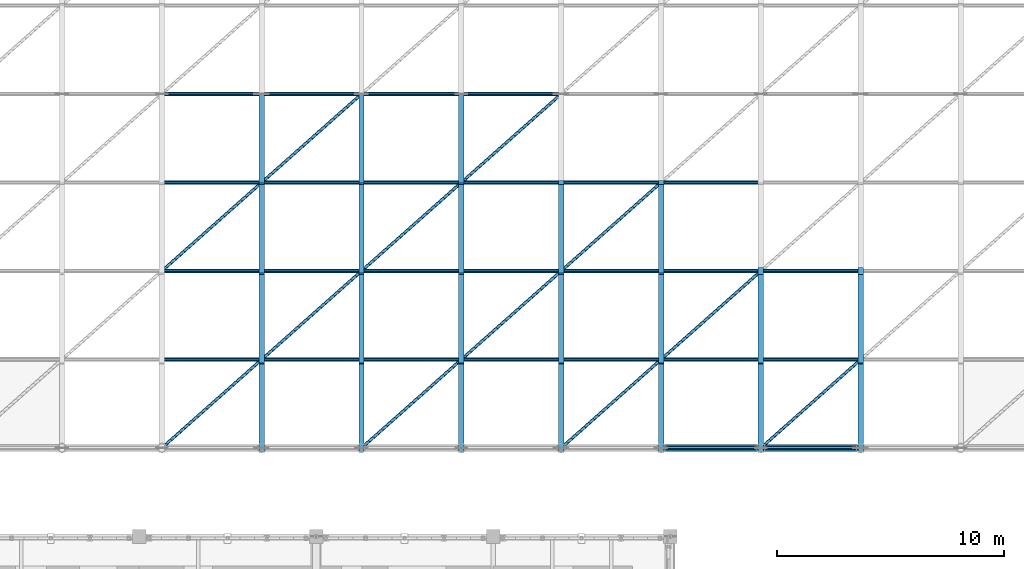
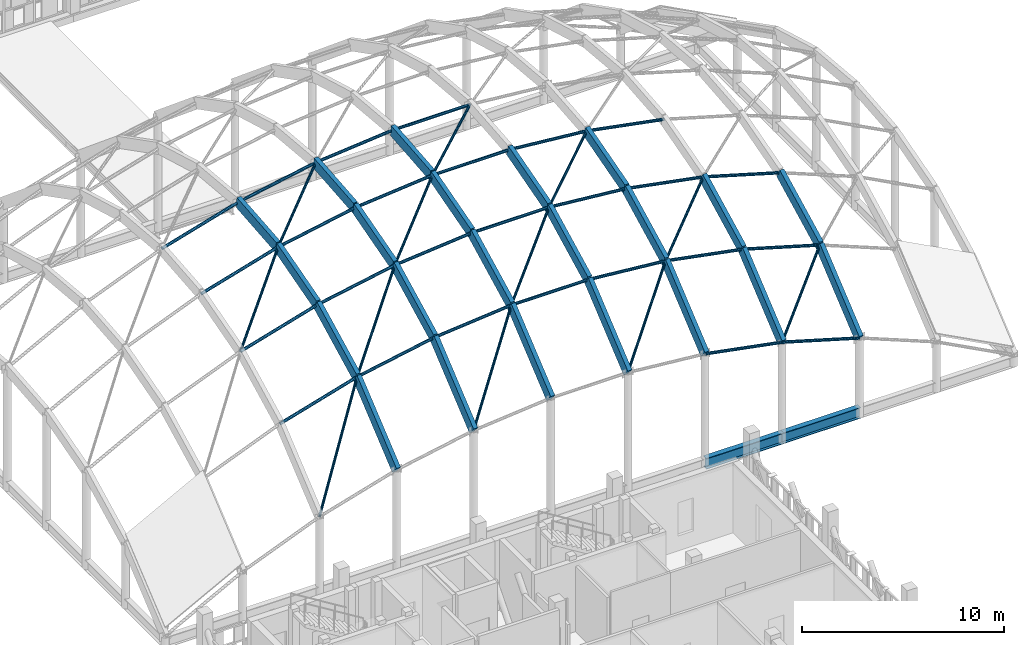
# One storey, part 45 of 119: 60 members, 2 beams.
"""IFC4 building model written with IfcOpenShell, lengths in metres."""

from ifc_helpers import new_model, si_unit, direction, frame, origin, origin_2d, place, context, subcontext, project, spatial, rectangle, hollow_circle, i_section, extrude, material, material_profile, profile_set, type_object, element, save


model = new_model("IFC4")

# Units and contexts
model_context = context("Model", 3, precision=1e-05, world=origin(), true_north=direction((0.0, 1.0)))
body_context = subcontext(model_context, "Body", "Model", "MODEL_VIEW")
ifc_project = project(units=[si_unit("LENGTHUNIT", "METRE"), si_unit("AREAUNIT", "SQUARE_METRE"), si_unit("VOLUMEUNIT", "CUBIC_METRE"), si_unit("PLANEANGLEUNIT", "RADIAN"), si_unit("MASSUNIT", "GRAM", prefix="KILO")], contexts=[model_context])

# Site, building, storey
site_placement = place(None, origin())
site = spatial("IfcSite", under=ifc_project, at=site_placement, CompositionType="ELEMENT")
building_placement = place(site_placement, origin())
building = spatial("IfcBuilding", under=site, at=building_placement, Name="Celorna Specialist Clinic", CompositionType="ELEMENT")
storey_placement = place(building_placement, frame((0.0, 0.0, 9.60009765625)))
storey = spatial("IfcBuildingStorey", under=building, at=storey_placement, Name="L02", CompositionType="ELEMENT", Elevation=9.60009765625)

# Beams
ifc_material_1 = material(Name="Steel S355", Category="steel")
ifc_material_profile_1 = material_profile(ifc_material_1, i_section(OverallWidth=0.300048828125, OverallDepth=0.64990234375, WebThickness=0.01611328125, FlangeThickness=0.031005859375, at=origin_2d()), Name="HE 650 B")
ifc_profile_set_1 = profile_set([ifc_material_profile_1], Name="Steel S355")
beam_type = type_object("IfcBeamType", Name="BM-03", PredefinedType="BEAM", material=ifc_profile_set_1)
beam_1_placement = place(storey_placement, frame((85.39990234375, 46.800048828125, 0.27490234375), z_axis=(1.0, 0.0, 0.0), x_axis=(0.0, 1.0, 0.0)))
element("IfcBeam", 1, at=beam_1_placement, inside=storey, type_object=beam_type, Name="GSH-V1 gridshell perimeter edge ring beam", PredefinedType="BEAM", context=body_context, shape_type="SweptSolid", body=[
    extrude(i_section(OverallWidth=0.300048828125, OverallDepth=0.64990234375, WebThickness=0.01611328125, FlangeThickness=0.031005859375, at=origin_2d()), origin(), (0.0, 0.0, 1.0), 4.400146484375),
])
beam_2_placement = place(storey_placement, frame((89.800048828125, 46.800048828125, 0.27490234375), z_axis=(1.0, 0.0, 0.0), x_axis=(0.0, 1.0, 0.0)))
element("IfcBeam", 2, at=beam_2_placement, inside=storey, type_object=beam_type, Name="GSH-V1 gridshell perimeter edge ring beam", PredefinedType="BEAM", context=body_context, shape_type="SweptSolid", body=[
    extrude(i_section(OverallWidth=0.300048828125, OverallDepth=0.64990234375, WebThickness=0.01611328125, FlangeThickness=0.031005859375, at=origin_2d()), origin(), (0.0, 0.0, 1.0), 4.39990234375),
])

# Members
ifc_material_2 = material(Name="Glulam GL28h", Category="wood")
ifc_material_profile_2 = material_profile(ifc_material_2, rectangle(XDim=0.239990234375, YDim=0.639892578125, at=origin_2d()), Name="GL28h 240x640")
ifc_profile_set_2 = profile_set([ifc_material_profile_2], Name="Glulam GL28h")
member_type_1 = type_object("IfcMemberType", Name="MB-01", PredefinedType="RAFTER", material=ifc_profile_set_2)
member_1_placement = place(storey_placement, frame((67.800048828125, 46.800048828125, 5.991943359375), z_axis=(0.0, 0.768923128228, 0.639341241338), x_axis=(-1.0, 0.0, 0.0)))
element("IfcMember", 3, at=member_1_placement, inside=storey, type_object=member_type_1, Name="GSH-V1 glulam gridshell arch rib WP-128-WP-170", PredefinedType="RAFTER", context=body_context, shape_type="SweptSolid", body=[
    extrude(rectangle(XDim=0.239990234375, YDim=0.639892578125, at=origin_2d()), origin(), (0.0, 0.0, 1.0), 5.072021484375),
])
member_2_placement = place(storey_placement, frame((67.800048828125, 50.699951171875, 9.234619140625), z_axis=(0.0, 0.890050532634, 0.455861875306), x_axis=(-1.0, 0.0, 0.0)))
element("IfcMember", 4, at=member_2_placement, inside=storey, type_object=member_type_1, Name="GSH-V1 glulam gridshell arch rib WP-170-WP-171", PredefinedType="RAFTER", context=body_context, shape_type="SweptSolid", body=[
    extrude(rectangle(XDim=0.239990234375, YDim=0.639892578125, at=origin_2d()), origin(), (0.0, 0.0, 1.0), 4.3818359375),
])
member_3_placement = place(storey_placement, frame((67.800048828125, 54.60009765625, 11.232177734375), z_axis=(0.0, 0.961920605612, 0.273329011448), x_axis=(-1.0, 0.0, 0.0)))
element("IfcMember", 5, at=member_3_placement, inside=storey, type_object=member_type_1, Name="GSH-V1 glulam gridshell arch rib WP-171-WP-172", PredefinedType="RAFTER", context=body_context, shape_type="SweptSolid", body=[
    extrude(rectangle(XDim=0.239990234375, YDim=0.639892578125, at=origin_2d()), origin(), (0.0, 0.0, 1.0), 4.05419921875),
])
member_4_placement = place(storey_placement, frame((67.800048828125, 58.5, 12.34033203125), z_axis=(0.0, 0.995843490594, 0.091080965304), x_axis=(-1.0, 0.0, 0.0)))
element("IfcMember", 6, at=member_4_placement, inside=storey, type_object=member_type_1, Name="GSH-V1 glulam gridshell arch rib WP-172-WP-173", PredefinedType="RAFTER", context=body_context, shape_type="SweptSolid", body=[
    extrude(rectangle(XDim=0.239990234375, YDim=0.639892578125, at=origin_2d()), origin(), (0.0, 0.0, 1.0), 3.916259765625),
])
member_5_placement = place(storey_placement, frame((72.199951171875, 46.800048828125, 6.830078125), z_axis=(0.0, 0.768923128228, 0.639341241338), x_axis=(-1.0, 0.0, 0.0)))
element("IfcMember", 7, at=member_5_placement, inside=storey, type_object=member_type_1, Name="GSH-V1 glulam gridshell arch rib WP-129-WP-177", PredefinedType="RAFTER", context=body_context, shape_type="SweptSolid", body=[
    extrude(rectangle(XDim=0.239990234375, YDim=0.639892578125, at=origin_2d()), origin(), (0.0, 0.0, 1.0), 5.072021484375),
])
member_6_placement = place(storey_placement, frame((72.199951171875, 50.699951171875, 10.07275390625), z_axis=(0.0, 0.890050532634, 0.455861875306), x_axis=(-1.0, 0.0, 0.0)))
element("IfcMember", 8, at=member_6_placement, inside=storey, type_object=member_type_1, Name="GSH-V1 glulam gridshell arch rib WP-177-WP-178", PredefinedType="RAFTER", context=body_context, shape_type="SweptSolid", body=[
    extrude(rectangle(XDim=0.239990234375, YDim=0.639892578125, at=origin_2d()), origin(), (0.0, 0.0, 1.0), 4.3818359375),
])
member_7_placement = place(storey_placement, frame((72.199951171875, 54.60009765625, 12.0703125), z_axis=(0.0, 0.961920605612, 0.273329011448), x_axis=(-1.0, 0.0, 0.0)))
element("IfcMember", 9, at=member_7_placement, inside=storey, type_object=member_type_1, Name="GSH-V1 glulam gridshell arch rib WP-178-WP-179", PredefinedType="RAFTER", context=body_context, shape_type="SweptSolid", body=[
    extrude(rectangle(XDim=0.239990234375, YDim=0.639892578125, at=origin_2d()), origin(), (0.0, 0.0, 1.0), 4.05419921875),
])
member_8_placement = place(storey_placement, frame((72.199951171875, 58.5, 13.178466796875), z_axis=(0.0, 0.995849143232, 0.091019140423), x_axis=(-1.0, 0.0, 0.0)))
element("IfcMember", 10, at=member_8_placement, inside=storey, type_object=member_type_1, Name="GSH-V1 glulam gridshell arch rib WP-179-WP-180", PredefinedType="RAFTER", context=body_context, shape_type="SweptSolid", body=[
    extrude(rectangle(XDim=0.239990234375, YDim=0.639892578125, at=origin_2d()), origin(), (0.0, 0.0, 1.0), 3.916259765625),
])
member_9_placement = place(storey_placement, frame((76.60009765625, 46.800048828125, 7.243408203125), z_axis=(0.0, 0.768923128228, 0.639341241338), x_axis=(-1.0, 0.0, 0.0)))
element("IfcMember", 11, at=member_9_placement, inside=storey, type_object=member_type_1, Name="GSH-V1 glulam gridshell arch rib WP-130-WP-184", PredefinedType="RAFTER", context=body_context, shape_type="SweptSolid", body=[
    extrude(rectangle(XDim=0.239990234375, YDim=0.639892578125, at=origin_2d()), origin(), (0.0, 0.0, 1.0), 5.072021484375),
])
member_10_placement = place(storey_placement, frame((76.60009765625, 50.699951171875, 10.486083984375), z_axis=(0.0, 0.890050532634, 0.455861875306), x_axis=(-1.0, 0.0, 0.0)))
element("IfcMember", 12, at=member_10_placement, inside=storey, type_object=member_type_1, Name="GSH-V1 glulam gridshell arch rib WP-184-WP-185", PredefinedType="RAFTER", context=body_context, shape_type="SweptSolid", body=[
    extrude(rectangle(XDim=0.239990234375, YDim=0.639892578125, at=origin_2d()), origin(), (0.0, 0.0, 1.0), 4.3818359375),
])
member_11_placement = place(storey_placement, frame((76.60009765625, 54.60009765625, 12.483642578125), z_axis=(0.0, 0.961920605612, 0.273329011448), x_axis=(-1.0, 0.0, 0.0)))
element("IfcMember", 13, at=member_11_placement, inside=storey, type_object=member_type_1, Name="GSH-V1 glulam gridshell arch rib WP-185-WP-186", PredefinedType="RAFTER", context=body_context, shape_type="SweptSolid", body=[
    extrude(rectangle(XDim=0.239990234375, YDim=0.639892578125, at=origin_2d()), origin(), (0.0, 0.0, 1.0), 4.05419921875),
])
member_12_placement = place(storey_placement, frame((76.60009765625, 58.5, 13.591796875), z_axis=(0.0, 0.995843490594, 0.091080965304), x_axis=(-1.0, 0.0, 0.0)))
element("IfcMember", 14, at=member_12_placement, inside=storey, type_object=member_type_1, Name="GSH-V1 glulam gridshell arch rib WP-186-WP-187", PredefinedType="RAFTER", context=body_context, shape_type="SweptSolid", body=[
    extrude(rectangle(XDim=0.239990234375, YDim=0.639892578125, at=origin_2d()), origin(), (0.0, 0.0, 1.0), 3.916259765625),
])
member_13_placement = place(storey_placement, frame((81.0, 46.800048828125, 7.243408203125), z_axis=(0.0, 0.768923128228, 0.639341241338), x_axis=(-1.0, 0.0, 0.0)))
element("IfcMember", 15, at=member_13_placement, inside=storey, type_object=member_type_1, Name="GSH-V1 glulam gridshell arch rib WP-131-WP-191", PredefinedType="RAFTER", context=body_context, shape_type="SweptSolid", body=[
    extrude(rectangle(XDim=0.239990234375, YDim=0.639892578125, at=origin_2d()), origin(), (0.0, 0.0, 1.0), 5.072021484375),
])
member_14_placement = place(storey_placement, frame((81.0, 50.699951171875, 10.486083984375), z_axis=(0.0, 0.890050532634, 0.455861875306), x_axis=(-1.0, 0.0, 0.0)))
element("IfcMember", 16, at=member_14_placement, inside=storey, type_object=member_type_1, Name="GSH-V1 glulam gridshell arch rib WP-191-WP-192", PredefinedType="RAFTER", context=body_context, shape_type="SweptSolid", body=[
    extrude(rectangle(XDim=0.239990234375, YDim=0.639892578125, at=origin_2d()), origin(), (0.0, 0.0, 1.0), 4.3818359375),
])
member_15_placement = place(storey_placement, frame((81.0, 54.60009765625, 12.483642578125), z_axis=(0.0, 0.961920605612, 0.273329011448), x_axis=(-1.0, 0.0, 0.0)))
element("IfcMember", 17, at=member_15_placement, inside=storey, type_object=member_type_1, Name="GSH-V1 glulam gridshell arch rib WP-192-WP-193", PredefinedType="RAFTER", context=body_context, shape_type="SweptSolid", body=[
    extrude(rectangle(XDim=0.239990234375, YDim=0.639892578125, at=origin_2d()), origin(), (0.0, 0.0, 1.0), 4.05419921875),
])
member_16_placement = place(storey_placement, frame((85.39990234375, 46.800048828125, 6.830078125), z_axis=(0.0, 0.768923128228, 0.639341241338), x_axis=(-1.0, 0.0, 0.0)))
element("IfcMember", 18, at=member_16_placement, inside=storey, type_object=member_type_1, Name="GSH-V1 glulam gridshell arch rib WP-132-WP-198", PredefinedType="RAFTER", context=body_context, shape_type="SweptSolid", body=[
    extrude(rectangle(XDim=0.239990234375, YDim=0.639892578125, at=origin_2d()), origin(), (0.0, 0.0, 1.0), 5.072021484375),
])
member_17_placement = place(storey_placement, frame((85.39990234375, 50.699951171875, 10.07275390625), z_axis=(0.0, 0.890050532634, 0.455861875306), x_axis=(-1.0, 0.0, 0.0)))
element("IfcMember", 19, at=member_17_placement, inside=storey, type_object=member_type_1, Name="GSH-V1 glulam gridshell arch rib WP-198-WP-199", PredefinedType="RAFTER", context=body_context, shape_type="SweptSolid", body=[
    extrude(rectangle(XDim=0.239990234375, YDim=0.639892578125, at=origin_2d()), origin(), (0.0, 0.0, 1.0), 4.3818359375),
])
member_18_placement = place(storey_placement, frame((85.39990234375, 54.60009765625, 12.0703125), z_axis=(0.0, 0.961920605612, 0.273329011448), x_axis=(-1.0, 0.0, 0.0)))
element("IfcMember", 20, at=member_18_placement, inside=storey, type_object=member_type_1, Name="GSH-V1 glulam gridshell arch rib WP-199-WP-200", PredefinedType="RAFTER", context=body_context, shape_type="SweptSolid", body=[
    extrude(rectangle(XDim=0.239990234375, YDim=0.639892578125, at=origin_2d()), origin(), (0.0, 0.0, 1.0), 4.05419921875),
])
member_19_placement = place(storey_placement, frame((89.800048828125, 46.800048828125, 5.991943359375), z_axis=(0.0, 0.768923128228, 0.639341241338), x_axis=(-1.0, 0.0, 0.0)))
element("IfcMember", 21, at=member_19_placement, inside=storey, type_object=member_type_1, Name="GSH-V1 glulam gridshell arch rib WP-133-WP-205", PredefinedType="RAFTER", context=body_context, shape_type="SweptSolid", body=[
    extrude(rectangle(XDim=0.239990234375, YDim=0.639892578125, at=origin_2d()), origin(), (0.0, 0.0, 1.0), 5.072021484375),
])
member_20_placement = place(storey_placement, frame((89.800048828125, 50.699951171875, 9.234619140625), z_axis=(0.0, 0.890050532634, 0.455861875306), x_axis=(-1.0, 0.0, 0.0)))
element("IfcMember", 22, at=member_20_placement, inside=storey, type_object=member_type_1, Name="GSH-V1 glulam gridshell arch rib WP-205-WP-206", PredefinedType="RAFTER", context=body_context, shape_type="SweptSolid", body=[
    extrude(rectangle(XDim=0.239990234375, YDim=0.639892578125, at=origin_2d()), origin(), (0.0, 0.0, 1.0), 4.3818359375),
])
member_21_placement = place(storey_placement, frame((94.199951171875, 46.800048828125, 4.705322265625), z_axis=(0.0, 0.768923128228, 0.639341241338), x_axis=(-1.0, 0.0, 0.0)))
element("IfcMember", 23, at=member_21_placement, inside=storey, type_object=member_type_1, Name="GSH-V1 glulam gridshell arch rib WP-134-WP-212", PredefinedType="RAFTER", context=body_context, shape_type="SweptSolid", body=[
    extrude(rectangle(XDim=0.239990234375, YDim=0.639892578125, at=origin_2d()), origin(), (0.0, 0.0, 1.0), 5.072021484375),
])
member_22_placement = place(storey_placement, frame((94.199951171875, 50.699951171875, 7.947998046875), z_axis=(0.0, 0.890050532634, 0.455861875306), x_axis=(-1.0, 0.0, 0.0)))
element("IfcMember", 24, at=member_22_placement, inside=storey, type_object=member_type_1, Name="GSH-V1 glulam gridshell arch rib WP-212-WP-213", PredefinedType="RAFTER", context=body_context, shape_type="SweptSolid", body=[
    extrude(rectangle(XDim=0.239990234375, YDim=0.639892578125, at=origin_2d()), origin(), (0.0, 0.0, 1.0), 4.3818359375),
])
ifc_material_profile_3 = material_profile(ifc_material_1, hollow_circle(Radius=0.084228515625, WallThickness=0.010009765625, at=origin_2d()), Name="CHS 168.3x10")
ifc_profile_set_3 = profile_set([ifc_material_profile_3], Name="Steel S355")
member_type_2 = type_object("IfcMemberType", Name="MB-03", PredefinedType="PURLIN", material=ifc_profile_set_3)
member_23_placement = place(storey_placement, frame((85.39990234375, 46.800048828125, 6.830078125), z_axis=(0.982338089354, 0.0, -0.187114612481), x_axis=(0.0, 1.0, 0.0)))
element("IfcMember", 25, at=member_23_placement, inside=storey, type_object=member_type_2, Name="GSH-V1 gridshell edge arch chord WP-132-WP-133", PredefinedType="PURLIN", context=body_context, shape_type="SweptSolid", body=[
    extrude(hollow_circle(Radius=0.084228515625, WallThickness=0.010009765625, at=origin_2d()), origin(), (0.0, 0.0, 1.0), 4.479248046875),
])
member_24_placement = place(storey_placement, frame((89.800048828125, 46.800048828125, 5.991943359375), z_axis=(0.959805314986, 0.0, -0.280666630229), x_axis=(0.0, 1.0, 0.0)))
element("IfcMember", 26, at=member_24_placement, inside=storey, type_object=member_type_2, Name="GSH-V1 gridshell edge arch chord WP-133-WP-134", PredefinedType="PURLIN", context=body_context, shape_type="SweptSolid", body=[
    extrude(hollow_circle(Radius=0.084228515625, WallThickness=0.010009765625, at=origin_2d()), origin(), (0.0, 0.0, 1.0), 4.584228515625),
])
member_25_placement = place(storey_placement, frame((63.39990234375, 50.699951171875, 7.947998046875), z_axis=(0.959809509952, 0.0, 0.280652284162), x_axis=(0.0, 1.0, 0.0)))
element("IfcMember", 27, at=member_25_placement, inside=storey, type_object=member_type_2, Name="GSH-V1 gridshell steel purlin WP-163-WP-170", PredefinedType="PURLIN", context=body_context, shape_type="SweptSolid", body=[
    extrude(hollow_circle(Radius=0.084228515625, WallThickness=0.010009765625, at=origin_2d()), origin(), (0.0, 0.0, 1.0), 4.58447265625),
])
member_26_placement = place(storey_placement, frame((67.800048828125, 50.699951171875, 9.234619140625), z_axis=(0.982336180889, 0.0, 0.187124631506), x_axis=(0.0, 1.0, 0.0)))
element("IfcMember", 28, at=member_26_placement, inside=storey, type_object=member_type_2, Name="GSH-V1 gridshell steel purlin WP-170-WP-177", PredefinedType="PURLIN", context=body_context, shape_type="SweptSolid", body=[
    extrude(hollow_circle(Radius=0.084228515625, WallThickness=0.010009765625, at=origin_2d()), origin(), (0.0, 0.0, 1.0), 4.47900390625),
])
member_27_placement = place(storey_placement, frame((72.199951171875, 50.699951171875, 10.07275390625), z_axis=(0.995617043189, 0.0, 0.09352381147), x_axis=(0.0, 1.0, 0.0)))
element("IfcMember", 29, at=member_27_placement, inside=storey, type_object=member_type_2, Name="GSH-V1 gridshell steel purlin WP-177-WP-184", PredefinedType="PURLIN", context=body_context, shape_type="SweptSolid", body=[
    extrude(hollow_circle(Radius=0.084228515625, WallThickness=0.010009765625, at=origin_2d()), origin(), (0.0, 0.0, 1.0), 4.41943359375),
])
member_28_placement = place(storey_placement, frame((76.60009765625, 50.699951171875, 10.486083984375), z_axis=(1.0, 0.0, 0.0), x_axis=(0.0, 1.0, 0.0)))
element("IfcMember", 30, at=member_28_placement, inside=storey, type_object=member_type_2, Name="GSH-V1 gridshell steel purlin WP-184-WP-191", PredefinedType="PURLIN", context=body_context, shape_type="SweptSolid", body=[
    extrude(hollow_circle(Radius=0.084228515625, WallThickness=0.010009765625, at=origin_2d()), origin(), (0.0, 0.0, 1.0), 4.39990234375),
])
member_29_placement = place(storey_placement, frame((81.0, 50.699951171875, 10.486083984375), z_axis=(0.995616559968, 0.0, -0.0935289555), x_axis=(0.0, 1.0, 0.0)))
element("IfcMember", 31, at=member_29_placement, inside=storey, type_object=member_type_2, Name="GSH-V1 gridshell steel purlin WP-191-WP-198", PredefinedType="PURLIN", context=body_context, shape_type="SweptSolid", body=[
    extrude(hollow_circle(Radius=0.084228515625, WallThickness=0.010009765625, at=origin_2d()), origin(), (0.0, 0.0, 1.0), 4.419189453125),
])
member_30_placement = place(storey_placement, frame((85.39990234375, 50.699951171875, 10.07275390625), z_axis=(0.982338089354, 0.0, -0.187114612481), x_axis=(0.0, 1.0, 0.0)))
element("IfcMember", 32, at=member_30_placement, inside=storey, type_object=member_type_2, Name="GSH-V1 gridshell steel purlin WP-198-WP-205", PredefinedType="PURLIN", context=body_context, shape_type="SweptSolid", body=[
    extrude(hollow_circle(Radius=0.084228515625, WallThickness=0.010009765625, at=origin_2d()), origin(), (0.0, 0.0, 1.0), 4.479248046875),
])
member_31_placement = place(storey_placement, frame((89.800048828125, 50.699951171875, 9.234619140625), z_axis=(0.959805314986, 0.0, -0.280666630229), x_axis=(0.0, 1.0, 0.0)))
element("IfcMember", 33, at=member_31_placement, inside=storey, type_object=member_type_2, Name="GSH-V1 gridshell steel purlin WP-205-WP-212", PredefinedType="PURLIN", context=body_context, shape_type="SweptSolid", body=[
    extrude(hollow_circle(Radius=0.084228515625, WallThickness=0.010009765625, at=origin_2d()), origin(), (0.0, 0.0, 1.0), 4.584228515625),
])
member_32_placement = place(storey_placement, frame((63.39990234375, 54.60009765625, 9.945556640625), z_axis=(0.959809509952, 0.0, 0.280652284162), x_axis=(0.0, 1.0, 0.0)))
element("IfcMember", 34, at=member_32_placement, inside=storey, type_object=member_type_2, Name="GSH-V1 gridshell steel purlin WP-164-WP-171", PredefinedType="PURLIN", context=body_context, shape_type="SweptSolid", body=[
    extrude(hollow_circle(Radius=0.084228515625, WallThickness=0.010009765625, at=origin_2d()), origin(), (0.0, 0.0, 1.0), 4.58447265625),
])
member_33_placement = place(storey_placement, frame((67.800048828125, 54.60009765625, 11.232177734375), z_axis=(0.982336180889, 0.0, 0.187124631506), x_axis=(0.0, 1.0, 0.0)))
element("IfcMember", 35, at=member_33_placement, inside=storey, type_object=member_type_2, Name="GSH-V1 gridshell steel purlin WP-171-WP-178", PredefinedType="PURLIN", context=body_context, shape_type="SweptSolid", body=[
    extrude(hollow_circle(Radius=0.084228515625, WallThickness=0.010009765625, at=origin_2d()), origin(), (0.0, 0.0, 1.0), 4.47900390625),
])
member_34_placement = place(storey_placement, frame((72.199951171875, 54.60009765625, 12.0703125), z_axis=(0.995617043189, 0.0, 0.09352381147), x_axis=(0.0, 1.0, 0.0)))
element("IfcMember", 36, at=member_34_placement, inside=storey, type_object=member_type_2, Name="GSH-V1 gridshell steel purlin WP-178-WP-185", PredefinedType="PURLIN", context=body_context, shape_type="SweptSolid", body=[
    extrude(hollow_circle(Radius=0.084228515625, WallThickness=0.010009765625, at=origin_2d()), origin(), (0.0, 0.0, 1.0), 4.41943359375),
])
member_35_placement = place(storey_placement, frame((76.60009765625, 54.60009765625, 12.483642578125), z_axis=(1.0, 0.0, 0.0), x_axis=(0.0, 1.0, 0.0)))
element("IfcMember", 37, at=member_35_placement, inside=storey, type_object=member_type_2, Name="GSH-V1 gridshell steel purlin WP-185-WP-192", PredefinedType="PURLIN", context=body_context, shape_type="SweptSolid", body=[
    extrude(hollow_circle(Radius=0.084228515625, WallThickness=0.010009765625, at=origin_2d()), origin(), (0.0, 0.0, 1.0), 4.39990234375),
])
member_36_placement = place(storey_placement, frame((81.0, 54.60009765625, 12.483642578125), z_axis=(0.995616559968, 0.0, -0.0935289555), x_axis=(0.0, 1.0, 0.0)))
element("IfcMember", 38, at=member_36_placement, inside=storey, type_object=member_type_2, Name="GSH-V1 gridshell steel purlin WP-192-WP-199", PredefinedType="PURLIN", context=body_context, shape_type="SweptSolid", body=[
    extrude(hollow_circle(Radius=0.084228515625, WallThickness=0.010009765625, at=origin_2d()), origin(), (0.0, 0.0, 1.0), 4.419189453125),
])
member_37_placement = place(storey_placement, frame((85.39990234375, 54.60009765625, 12.0703125), z_axis=(0.982338089354, 0.0, -0.187114612481), x_axis=(0.0, 1.0, 0.0)))
element("IfcMember", 39, at=member_37_placement, inside=storey, type_object=member_type_2, Name="GSH-V1 gridshell steel purlin WP-199-WP-206", PredefinedType="PURLIN", context=body_context, shape_type="SweptSolid", body=[
    extrude(hollow_circle(Radius=0.084228515625, WallThickness=0.010009765625, at=origin_2d()), origin(), (0.0, 0.0, 1.0), 4.479248046875),
])
member_38_placement = place(storey_placement, frame((89.800048828125, 54.60009765625, 11.232177734375), z_axis=(0.959805314986, 0.0, -0.280666630229), x_axis=(0.0, 1.0, 0.0)))
element("IfcMember", 40, at=member_38_placement, inside=storey, type_object=member_type_2, Name="GSH-V1 gridshell steel purlin WP-206-WP-213", PredefinedType="PURLIN", context=body_context, shape_type="SweptSolid", body=[
    extrude(hollow_circle(Radius=0.084228515625, WallThickness=0.010009765625, at=origin_2d()), origin(), (0.0, 0.0, 1.0), 4.584228515625),
])
member_39_placement = place(storey_placement, frame((63.39990234375, 58.5, 11.0537109375), z_axis=(0.959809509952, 0.0, 0.280652284162), x_axis=(0.0, 1.0, 0.0)))
element("IfcMember", 41, at=member_39_placement, inside=storey, type_object=member_type_2, Name="GSH-V1 gridshell steel purlin WP-165-WP-172", PredefinedType="PURLIN", context=body_context, shape_type="SweptSolid", body=[
    extrude(hollow_circle(Radius=0.084228515625, WallThickness=0.010009765625, at=origin_2d()), origin(), (0.0, 0.0, 1.0), 4.58447265625),
])
member_40_placement = place(storey_placement, frame((67.800048828125, 58.5, 12.34033203125), z_axis=(0.982336180889, 0.0, 0.187124631506), x_axis=(0.0, 1.0, 0.0)))
element("IfcMember", 42, at=member_40_placement, inside=storey, type_object=member_type_2, Name="GSH-V1 gridshell steel purlin WP-172-WP-179", PredefinedType="PURLIN", context=body_context, shape_type="SweptSolid", body=[
    extrude(hollow_circle(Radius=0.084228515625, WallThickness=0.010009765625, at=origin_2d()), origin(), (0.0, 0.0, 1.0), 4.47900390625),
])
member_41_placement = place(storey_placement, frame((72.199951171875, 58.5, 13.178466796875), z_axis=(0.995617043189, 0.0, 0.09352381147), x_axis=(0.0, 1.0, 0.0)))
element("IfcMember", 43, at=member_41_placement, inside=storey, type_object=member_type_2, Name="GSH-V1 gridshell steel purlin WP-179-WP-186", PredefinedType="PURLIN", context=body_context, shape_type="SweptSolid", body=[
    extrude(hollow_circle(Radius=0.084228515625, WallThickness=0.010009765625, at=origin_2d()), origin(), (0.0, 0.0, 1.0), 4.41943359375),
])
member_42_placement = place(storey_placement, frame((76.60009765625, 58.5, 13.591796875), z_axis=(1.0, 0.0, 0.0), x_axis=(0.0, 1.0, 0.0)))
element("IfcMember", 44, at=member_42_placement, inside=storey, type_object=member_type_2, Name="GSH-V1 gridshell steel purlin WP-186-WP-193", PredefinedType="PURLIN", context=body_context, shape_type="SweptSolid", body=[
    extrude(hollow_circle(Radius=0.084228515625, WallThickness=0.010009765625, at=origin_2d()), origin(), (0.0, 0.0, 1.0), 4.39990234375),
])
member_43_placement = place(storey_placement, frame((81.0, 58.5, 13.591796875), z_axis=(0.995616559968, 0.0, -0.0935289555), x_axis=(0.0, 1.0, 0.0)))
element("IfcMember", 45, at=member_43_placement, inside=storey, type_object=member_type_2, Name="GSH-V1 gridshell steel purlin WP-193-WP-200", PredefinedType="PURLIN", context=body_context, shape_type="SweptSolid", body=[
    extrude(hollow_circle(Radius=0.084228515625, WallThickness=0.010009765625, at=origin_2d()), origin(), (0.0, 0.0, 1.0), 4.419189453125),
])
member_44_placement = place(storey_placement, frame((85.39990234375, 58.5, 13.178466796875), z_axis=(0.982338089354, 0.0, -0.187114612481), x_axis=(0.0, 1.0, 0.0)))
element("IfcMember", 46, at=member_44_placement, inside=storey, type_object=member_type_2, Name="GSH-V1 gridshell steel purlin WP-200-WP-207", PredefinedType="PURLIN", context=body_context, shape_type="SweptSolid", body=[
    extrude(hollow_circle(Radius=0.084228515625, WallThickness=0.010009765625, at=origin_2d()), origin(), (0.0, 0.0, 1.0), 4.479248046875),
])
member_45_placement = place(storey_placement, frame((63.39990234375, 62.39990234375, 11.410400390625), z_axis=(0.959809509952, 0.0, 0.280652284162), x_axis=(0.0, 1.0, 0.0)))
element("IfcMember", 47, at=member_45_placement, inside=storey, type_object=member_type_2, Name="GSH-V1 gridshell steel purlin WP-166-WP-173", PredefinedType="PURLIN", context=body_context, shape_type="SweptSolid", body=[
    extrude(hollow_circle(Radius=0.084228515625, WallThickness=0.010009765625, at=origin_2d()), origin(), (0.0, 0.0, 1.0), 4.58447265625),
])
member_46_placement = place(storey_placement, frame((67.800048828125, 62.39990234375, 12.697021484375), z_axis=(0.982346199134, 0.0, 0.187072031707), x_axis=(0.0, 1.0, 0.0)))
element("IfcMember", 48, at=member_46_placement, inside=storey, type_object=member_type_2, Name="GSH-V1 gridshell steel purlin WP-173-WP-180", PredefinedType="PURLIN", context=body_context, shape_type="SweptSolid", body=[
    extrude(hollow_circle(Radius=0.084228515625, WallThickness=0.010009765625, at=origin_2d()), origin(), (0.0, 0.0, 1.0), 4.47900390625),
])
member_47_placement = place(storey_placement, frame((72.199951171875, 62.39990234375, 13.534912109375), z_axis=(0.995611897961, 0.0, 0.093578569336), x_axis=(0.0, 1.0, 0.0)))
element("IfcMember", 49, at=member_47_placement, inside=storey, type_object=member_type_2, Name="GSH-V1 gridshell steel purlin WP-180-WP-187", PredefinedType="PURLIN", context=body_context, shape_type="SweptSolid", body=[
    extrude(hollow_circle(Radius=0.084228515625, WallThickness=0.010009765625, at=origin_2d()), origin(), (0.0, 0.0, 1.0), 4.41943359375),
])
member_48_placement = place(storey_placement, frame((76.60009765625, 62.39990234375, 13.948486328125), z_axis=(1.0, 0.0, 0.0), x_axis=(0.0, 1.0, 0.0)))
element("IfcMember", 50, at=member_48_placement, inside=storey, type_object=member_type_2, Name="GSH-V1 gridshell steel purlin WP-187-WP-194", PredefinedType="PURLIN", context=body_context, shape_type="SweptSolid", body=[
    extrude(hollow_circle(Radius=0.084228515625, WallThickness=0.010009765625, at=origin_2d()), origin(), (0.0, 0.0, 1.0), 4.39990234375),
])
ifc_material_profile_4 = material_profile(ifc_material_1, hollow_circle(Radius=0.06982421875, WallThickness=0.008056640625, at=origin_2d()), Name="CHS 139.7x8")
ifc_profile_set_4 = profile_set([ifc_material_profile_4], Name="Steel S355")
member_type_3 = type_object("IfcMemberType", Name="MB-08", PredefinedType="BRACE", material=ifc_profile_set_4)
member_49_placement = place(storey_placement, frame((63.39990234375, 46.800048828125, 4.705322265625), z_axis=(0.592857380745, 0.525456572159, 0.610258565587), x_axis=(-0.66328584577, 0.748366144879, 0.0)))
element("IfcMember", 51, at=member_49_placement, inside=storey, type_object=member_type_3, Name="GSH-V1 gridshell shell brace WP-127-WP-170", PredefinedType="BRACE", context=body_context, shape_type="SweptSolid", body=[
    extrude(hollow_circle(Radius=0.06982421875, WallThickness=0.008056640625, at=origin_2d()), origin(), (0.0, 0.0, 1.0), 7.421875),
])
member_50_placement = place(storey_placement, frame((63.39990234375, 54.60009765625, 9.945556640625), z_axis=(0.693082773385, 0.614287533821, 0.37720961683), x_axis=(-0.66328584577, 0.748366144879, 0.0)))
element("IfcMember", 52, at=member_50_placement, inside=storey, type_object=member_type_3, Name="GSH-V1 gridshell shell brace WP-164-WP-172", PredefinedType="BRACE", context=body_context, shape_type="SweptSolid", body=[
    extrude(hollow_circle(Radius=0.06982421875, WallThickness=0.008056640625, at=origin_2d()), origin(), (0.0, 0.0, 1.0), 6.3486328125),
])
member_51_placement = place(storey_placement, frame((67.800048828125, 50.699951171875, 9.234619140625), z_axis=(0.674031094022, 0.597472351959, 0.434406345415), x_axis=(-0.663329710865, 0.748327264426, 0.0)))
element("IfcMember", 53, at=member_51_placement, inside=storey, type_object=member_type_3, Name="GSH-V1 gridshell shell brace WP-170-WP-178", PredefinedType="BRACE", context=body_context, shape_type="SweptSolid", body=[
    extrude(hollow_circle(Radius=0.06982421875, WallThickness=0.008056640625, at=origin_2d()), origin(), (0.0, 0.0, 1.0), 6.52783203125),
])
member_52_placement = place(storey_placement, frame((67.800048828125, 58.5, 12.34033203125), z_axis=(0.733363907619, 0.650025250267, 0.199109399622), x_axis=(-0.663306457294, 0.748347876133, 0.0)))
element("IfcMember", 54, at=member_52_placement, inside=storey, type_object=member_type_3, Name="GSH-V1 gridshell shell brace WP-172-WP-180", PredefinedType="BRACE", context=body_context, shape_type="SweptSolid", body=[
    extrude(hollow_circle(Radius=0.06982421875, WallThickness=0.008056640625, at=origin_2d()), origin(), (0.0, 0.0, 1.0), 5.99951171875),
])
member_53_placement = place(storey_placement, frame((72.199951171875, 46.800048828125, 6.830078125), z_axis=(0.635524260287, 0.563272736716, 0.528046152017), x_axis=(-0.66328584577, 0.748366144879, 0.0)))
element("IfcMember", 55, at=member_53_placement, inside=storey, type_object=member_type_3, Name="GSH-V1 gridshell shell brace WP-129-WP-184", PredefinedType="BRACE", context=body_context, shape_type="SweptSolid", body=[
    extrude(hollow_circle(Radius=0.06982421875, WallThickness=0.008056640625, at=origin_2d()), origin(), (0.0, 0.0, 1.0), 6.923583984375),
])
member_54_placement = place(storey_placement, frame((72.199951171875, 54.60009765625, 12.0703125), z_axis=(0.724502082729, 0.642134842674, 0.250518613969), x_axis=(-0.66328584577, 0.748366144879, 0.0)))
element("IfcMember", 56, at=member_54_placement, inside=storey, type_object=member_type_3, Name="GSH-V1 gridshell shell brace WP-178-WP-186", PredefinedType="BRACE", context=body_context, shape_type="SweptSolid", body=[
    extrude(hollow_circle(Radius=0.06982421875, WallThickness=0.008056640625, at=origin_2d()), origin(), (0.0, 0.0, 1.0), 6.0732421875),
])
member_55_placement = place(storey_placement, frame((76.60009765625, 50.699951171875, 10.486083984375), z_axis=(0.708551752202, 0.628072036479, 0.321682967291), x_axis=(-0.663329710865, 0.748327264426, 0.0)))
element("IfcMember", 57, at=member_55_placement, inside=storey, type_object=member_type_3, Name="GSH-V1 gridshell shell brace WP-184-WP-192", PredefinedType="BRACE", context=body_context, shape_type="SweptSolid", body=[
    extrude(hollow_circle(Radius=0.06982421875, WallThickness=0.008056640625, at=origin_2d()), origin(), (0.0, 0.0, 1.0), 6.209716796875),
])
member_56_placement = place(storey_placement, frame((76.60009765625, 58.5, 13.591796875), z_axis=(0.746974535488, 0.66208918155, 0.060555420949), x_axis=(-0.663306457294, 0.748347876133, 0.0)))
element("IfcMember", 58, at=member_56_placement, inside=storey, type_object=member_type_3, Name="GSH-V1 gridshell shell brace WP-186-WP-194", PredefinedType="BRACE", context=body_context, shape_type="SweptSolid", body=[
    extrude(hollow_circle(Radius=0.06982421875, WallThickness=0.008056640625, at=origin_2d()), origin(), (0.0, 0.0, 1.0), 5.890380859375),
])
member_57_placement = place(storey_placement, frame((81.0, 46.800048828125, 7.243408203125), z_axis=(0.674330761838, 0.597700565398, 0.433626634055), x_axis=(-0.663306457294, 0.748347876133, 0.0)))
element("IfcMember", 59, at=member_57_placement, inside=storey, type_object=member_type_3, Name="GSH-V1 gridshell shell brace WP-131-WP-198", PredefinedType="BRACE", context=body_context, shape_type="SweptSolid", body=[
    extrude(hollow_circle(Radius=0.06982421875, WallThickness=0.008056640625, at=origin_2d()), origin(), (0.0, 0.0, 1.0), 6.52490234375),
])
member_58_placement = place(storey_placement, frame((81.0, 54.60009765625, 12.483642578125), z_axis=(0.743176283915, 0.658722559053, 0.117360986795), x_axis=(-0.663306457294, 0.748347876133, 0.0)))
element("IfcMember", 60, at=member_58_placement, inside=storey, type_object=member_type_3, Name="GSH-V1 gridshell shell brace WP-192-WP-200", PredefinedType="BRACE", context=body_context, shape_type="SweptSolid", body=[
    extrude(hollow_circle(Radius=0.06982421875, WallThickness=0.008056640625, at=origin_2d()), origin(), (0.0, 0.0, 1.0), 5.92041015625),
])
member_59_placement = place(storey_placement, frame((85.39990234375, 50.699951171875, 10.07275390625), z_axis=(0.734207724906, 0.650777806434, 0.193461270908), x_axis=(-0.663309099754, 0.748345533951, 0.0)))
element("IfcMember", 61, at=member_59_placement, inside=storey, type_object=member_type_3, Name="GSH-V1 gridshell shell brace WP-198-WP-206", PredefinedType="BRACE", context=body_context, shape_type="SweptSolid", body=[
    extrude(hollow_circle(Radius=0.06982421875, WallThickness=0.008056640625, at=origin_2d()), origin(), (0.0, 0.0, 1.0), 5.9931640625),
])
member_60_placement = place(storey_placement, frame((89.800048828125, 46.800048828125, 5.991943359375), z_axis=(0.710081774718, 0.629388873008, 0.315679457277), x_axis=(-0.663306457294, 0.748347876133, 0.0)))
element("IfcMember", 62, at=member_60_placement, inside=storey, type_object=member_type_3, Name="GSH-V1 gridshell shell brace WP-133-WP-212", PredefinedType="BRACE", context=body_context, shape_type="SweptSolid", body=[
    extrude(hollow_circle(Radius=0.06982421875, WallThickness=0.008056640625, at=origin_2d()), origin(), (0.0, 0.0, 1.0), 6.1962890625),
])

save(model, "model.ifc")
